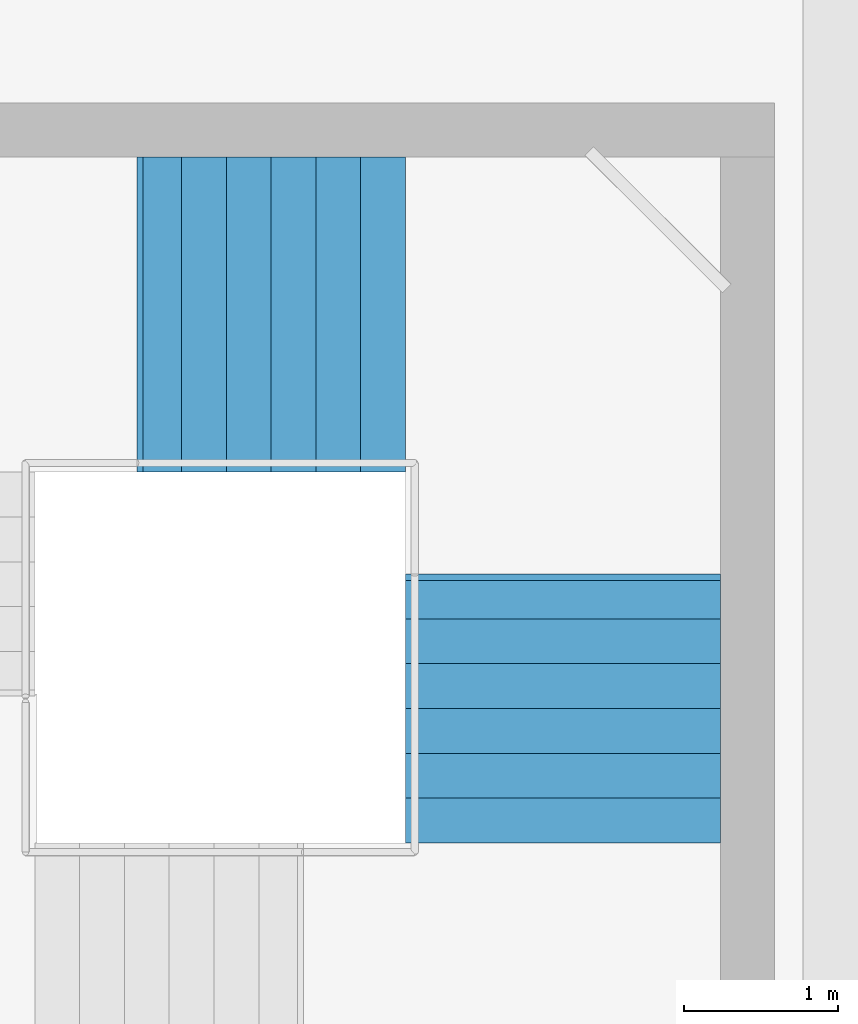
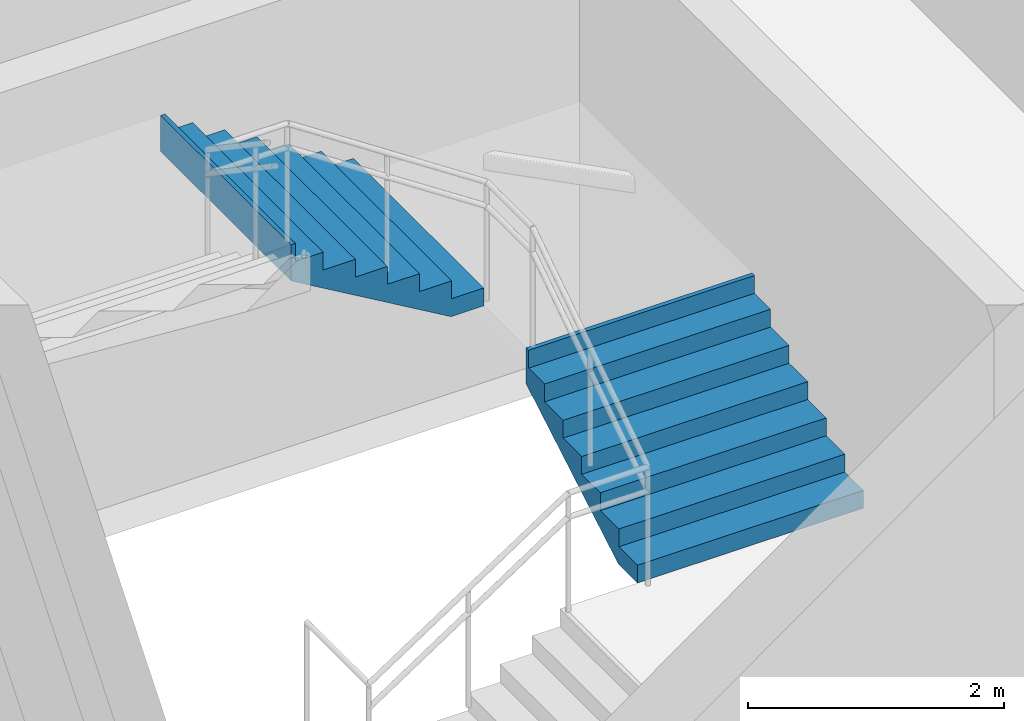
# One storey, part 17 of 32: 2 stair flights, 1 element without a shape of its own.
"""IFC4 building model written with IfcOpenShell, lengths in metres."""

from ifc_helpers import new_model, si_unit, direction, frame, origin, place, context, subcontext, project, spatial, triangles, material, type_object, element, aggregate, save


model = new_model("IFC4")

# Units and contexts
model_context = context("Model", 3, precision=1e-05, world=origin(), true_north=direction((0.0, 1.0)))
body_context = subcontext(model_context, "Body", "Model", "MODEL_VIEW")
ifc_project = project(units=[si_unit("LENGTHUNIT", "METRE"), si_unit("AREAUNIT", "SQUARE_METRE"), si_unit("VOLUMEUNIT", "CUBIC_METRE"), si_unit("PLANEANGLEUNIT", "RADIAN"), si_unit("MASSUNIT", "GRAM", prefix="KILO")], contexts=[model_context])

# Site, building, storey
site_placement = place(None, origin())
site = spatial("IfcSite", under=ifc_project, at=site_placement, CompositionType="ELEMENT")
building_placement = place(site_placement, origin())
building = spatial("IfcBuilding", under=site, at=building_placement, Name="Sillaruma Civic Art Gallery", CompositionType="ELEMENT")
storey_placement = place(building_placement, frame((0.0, 0.0, -4.590087890625)))
storey = spatial("IfcBuildingStorey", under=building, at=storey_placement, Name="B01", CompositionType="ELEMENT", Elevation=-4.590087890625)

# Stair, stair flights
ifc_material = material(Name="Concrete H35 (35 MPa)", Category="concrete")
stair_type = type_object("IfcStairType", Name="STR-4F-27", PredefinedType="USERDEFINED", material=ifc_material)
stair_placement = place(storey_placement, origin())
stair = element("IfcStair", 1, at=stair_placement, inside=storey, type_object=stair_type, Name="Protected Exit Stair ST-03 (West Bar South) (B01)", ObjectType="THREE_RETURN_STAIR", PredefinedType="USERDEFINED")
stair_flight_type = type_object("IfcStairFlightType", Name="SFL-STR-7", PredefinedType="STRAIGHT", material=ifc_material)
stair_flight_1_placement = place(storey_placement, frame((68.219970703125, 33.449951171875, 1.190185546875), z_axis=(0.0, 0.0, 1.0), x_axis=(0.0, 1.0, 0.0)))
stair_flight_1 = element("IfcStairFlight", 2, at=stair_flight_1_placement, type_object=stair_flight_type, Name="ST-03 flight 2", NumberOfRisers=7, NumberOfTreads=6, PredefinedType="STRAIGHT", RiserHeight=0.17, TreadLength=0.29, context=body_context, shape_type="Tessellation", body=[
    triangles([(0.0, -1.02001953125, 0.0), (0.29, -1.02001953125, 0.0), (0.296404, -1.02001953125, 0.0), (0.58, -1.02001953125, 0.166246), (0.87, -1.02001953125, 0.336246), (1.16, -1.02001953125, 0.506246), (1.45, -1.02001953125, 0.676246), (1.69999, -1.02001953125, 0.822792), (1.73999, -1.02001953125, 0.84624), (1.73999, -1.02001953125, 1.19), (1.69999, -1.02001953125, 1.19), (1.69999, -1.02001953125, 1.02), (1.45, -1.02001953125, 1.02), (1.45, -1.02001953125, 0.85), (1.16, -1.02001953125, 0.85), (1.16, -1.02001953125, 0.68), (0.87, -1.02001953125, 0.68), (0.87, -1.02001953125, 0.51), (0.58, -1.02001953125, 0.51), (0.58, -1.02001953125, 0.34), (0.296404, -1.02001953125, 0.34), (0.29, -1.02001953125, 0.34), (0.29, -1.02001953125, 0.17), (0.0, -1.02001953125, 0.17), (0.0, -0.05, 0.0), (0.29, -0.05, 0.0), (0.296404, -0.05, 0.0), (0.58, -0.05, 0.166246), (0.87, -0.05, 0.336246), (1.16, -0.05, 0.506246), (1.45, -0.05, 0.676246), (1.69999, -0.05, 0.822792), (1.73999, -0.05, 0.84624), (1.73999, -0.05, 1.19), (1.69999, -0.05, 1.19), (1.69999, -0.05, 1.02), (1.45, -0.05, 1.02), (1.45, -0.05, 0.85), (1.16, -0.05, 0.85), (1.16, -0.05, 0.68), (0.87, -0.05, 0.68), (0.87, -0.05, 0.51), (0.58, -0.05, 0.51), (0.58, -0.05, 0.34), (0.296404, -0.05, 0.34), (0.29, -0.05, 0.34), (0.29, -0.05, 0.17), (0.0, -0.05, 0.17), (0.0, -0.0375, 0.0), (0.29, -0.0375, 0.0), (0.296404, -0.0375, 0.0), (0.58, -0.0375, 0.166246), (0.87, -0.0375, 0.336246), (1.16, -0.0375, 0.506246), (1.45, -0.0375, 0.676246), (1.69999, -0.0375, 0.822792), (1.73999, -0.0375, 0.84624), (1.73999, -0.0375, 1.19), (1.69999, -0.0375, 1.19), (1.69999, -0.0375, 1.02), (1.45, -0.0375, 1.02), (1.45, -0.0375, 0.85), (1.16, -0.0375, 0.85), (1.16, -0.0375, 0.68), (0.87, -0.0375, 0.68), (0.87, -0.0375, 0.51), (0.58, -0.0375, 0.51), (0.58, -0.0375, 0.34), (0.296404, -0.0375, 0.34), (0.29, -0.0375, 0.34), (0.29, -0.0375, 0.17), (0.0, -0.0375, 0.17), (0.0, -0.025, 0.0), (0.29, -0.025, 0.0), (0.296404, -0.025, 0.0), (0.58, -0.025, 0.166246), (0.87, -0.025, 0.336246), (1.16, -0.025, 0.506246), (1.45, -0.025, 0.676246), (1.69999, -0.025, 0.822792), (1.73999, -0.025, 0.84624), (1.73999, -0.025, 1.19), (1.69999, -0.025, 1.19), (1.69999, -0.025, 1.02), (1.45, -0.025, 1.02), (1.45, -0.025, 0.85), (1.16, -0.025, 0.85), (1.16, -0.025, 0.68), (0.87, -0.025, 0.68), (0.87, -0.025, 0.51), (0.58, -0.025, 0.51), (0.58, -0.025, 0.34), (0.296404, -0.025, 0.34), (0.29, -0.025, 0.34), (0.29, -0.025, 0.17), (0.0, -0.025, 0.17), (0.0, -0.0125, 0.0), (0.29, -0.0125, 0.0), (0.296404, -0.0125, 0.0), (0.58, -0.0125, 0.166246), (0.87, -0.0125, 0.336246), (1.16, -0.0125, 0.506246), (1.45, -0.0125, 0.676246), (1.69999, -0.0125, 0.822792), (1.73999, -0.0125, 0.84624), (1.73999, -0.0125, 1.19), (1.69999, -0.0125, 1.19), (1.69999, -0.0125, 1.02), (1.45, -0.0125, 1.02), (1.45, -0.0125, 0.85), (1.16, -0.0125, 0.85), (1.16, -0.0125, 0.68), (0.87, -0.0125, 0.68), (0.87, -0.0125, 0.51), (0.58, -0.0125, 0.51), (0.58, -0.0125, 0.34), (0.296404, -0.0125, 0.34), (0.29, -0.0125, 0.34), (0.29, -0.0125, 0.17), (0.0, -0.0125, 0.17), (0.0, 0.0, 0.0), (0.29, 0.0, 0.0), (0.296404, 0.0, 0.0), (0.58, 0.0, 0.166246), (0.87, 0.0, 0.336246), (1.16, 0.0, 0.506246), (1.45, 0.0, 0.676246), (1.69999, 0.0, 0.822792), (1.73999, 0.0, 0.84624), (1.73999, 0.0, 1.19), (1.69999, 0.0, 1.19), (1.69999, 0.0, 1.02), (1.45, 0.0, 1.02), (1.45, 0.0, 0.85), (1.16, 0.0, 0.85), (1.16, 0.0, 0.68), (0.87, 0.0, 0.68), (0.87, 0.0, 0.51), (0.58, 0.0, 0.51), (0.58, 0.0, 0.34), (0.296404, 0.0, 0.34), (0.29, 0.0, 0.34), (0.29, 0.0, 0.17), (0.0, 0.0, 0.17), (0.0, 0.0125, 0.0), (0.29, 0.0125, 0.0), (0.296404, 0.0125, 0.0), (0.58, 0.0125, 0.166246), (0.87, 0.0125, 0.336246), (1.16, 0.0125, 0.506246), (1.45, 0.0125, 0.676246), (1.69999, 0.0125, 0.822792), (1.73999, 0.0125, 0.84624), (1.73999, 0.0125, 1.19), (1.69999, 0.0125, 1.19), (1.69999, 0.0125, 1.02), (1.45, 0.0125, 1.02), (1.45, 0.0125, 0.85), (1.16, 0.0125, 0.85), (1.16, 0.0125, 0.68), (0.87, 0.0125, 0.68), (0.87, 0.0125, 0.51), (0.58, 0.0125, 0.51), (0.58, 0.0125, 0.34), (0.296404, 0.0125, 0.34), (0.29, 0.0125, 0.34), (0.29, 0.0125, 0.17), (0.0, 0.0125, 0.17), (0.0, 0.025, 0.0), (0.29, 0.025, 0.0), (0.296404, 0.025, 0.0), (0.58, 0.025, 0.166246), (0.87, 0.025, 0.336246), (1.16, 0.025, 0.506246), (1.45, 0.025, 0.676246), (1.69999, 0.025, 0.822792), (1.73999, 0.025, 0.84624), (1.73999, 0.025, 1.19), (1.69999, 0.025, 1.19), (1.69999, 0.025, 1.02), (1.45, 0.025, 1.02), (1.45, 0.025, 0.85), (1.16, 0.025, 0.85), (1.16, 0.025, 0.68), (0.87, 0.025, 0.68), (0.87, 0.025, 0.51), (0.58, 0.025, 0.51), (0.58, 0.025, 0.34), (0.296404, 0.025, 0.34), (0.29, 0.025, 0.34), (0.29, 0.025, 0.17), (0.0, 0.025, 0.17), (0.0, 0.0375, 0.0), (0.29, 0.0375, 0.0), (0.296404, 0.0375, 0.0), (0.58, 0.0375, 0.166246), (0.87, 0.0375, 0.336246), (1.16, 0.0375, 0.506246), (1.45, 0.0375, 0.676246), (1.69999, 0.0375, 0.822792), (1.73999, 0.0375, 0.84624), (1.73999, 0.0375, 1.19), (1.69999, 0.0375, 1.19), (1.69999, 0.0375, 1.02), (1.45, 0.0375, 1.02), (1.45, 0.0375, 0.85), (1.16, 0.0375, 0.85), (1.16, 0.0375, 0.68), (0.87, 0.0375, 0.68), (0.87, 0.0375, 0.51), (0.58, 0.0375, 0.51), (0.58, 0.0375, 0.34), (0.296404, 0.0375, 0.34), (0.29, 0.0375, 0.34), (0.29, 0.0375, 0.17), (0.0, 0.0375, 0.17), (0.0, 0.05, 0.0), (0.29, 0.05, 0.0), (0.296404, 0.05, 0.0), (0.58, 0.05, 0.166246), (0.87, 0.05, 0.336246), (1.16, 0.05, 0.506246), (1.45, 0.05, 0.676246), (1.69999, 0.05, 0.822792), (1.73999, 0.05, 0.84624), (1.73999, 0.05, 1.19), (1.69999, 0.05, 1.19), (1.69999, 0.05, 1.02), (1.45, 0.05, 1.02), (1.45, 0.05, 0.85), (1.16, 0.05, 0.85), (1.16, 0.05, 0.68), (0.87, 0.05, 0.68), (0.87, 0.05, 0.51), (0.58, 0.05, 0.51), (0.58, 0.05, 0.34), (0.296404, 0.05, 0.34), (0.29, 0.05, 0.34), (0.29, 0.05, 0.17), (0.0, 0.05, 0.17), (0.0, 1.02001953125, 0.0), (0.29, 1.02001953125, 0.0), (0.296404, 1.02001953125, 0.0), (0.58, 1.02001953125, 0.166246), (0.87, 1.02001953125, 0.336246), (1.16, 1.02001953125, 0.506246), (1.45, 1.02001953125, 0.676246), (1.69999, 1.02001953125, 0.822792), (1.73999, 1.02001953125, 0.84624), (1.73999, 1.02001953125, 1.19), (1.69999, 1.02001953125, 1.19), (1.69999, 1.02001953125, 1.02), (1.45, 1.02001953125, 1.02), (1.45, 1.02001953125, 0.85), (1.16, 1.02001953125, 0.85), (1.16, 1.02001953125, 0.68), (0.87, 1.02001953125, 0.68), (0.87, 1.02001953125, 0.51), (0.58, 1.02001953125, 0.51), (0.58, 1.02001953125, 0.34), (0.296404, 1.02001953125, 0.34), (0.29, 1.02001953125, 0.34), (0.29, 1.02001953125, 0.17), (0.0, 1.02001953125, 0.17)], [[1, 2, 23], [1, 23, 24], [2, 3, 21], [2, 21, 23], [23, 21, 22], [3, 4, 20], [3, 20, 21], [4, 5, 18], [4, 18, 20], [20, 18, 19], [5, 6, 16], [5, 16, 18], [18, 16, 17], [6, 7, 14], [6, 14, 16], [16, 14, 15], [7, 8, 12], [7, 12, 14], [14, 12, 13], [8, 9, 10], [8, 10, 12], [12, 10, 11], [263, 242, 241], [264, 263, 241], [261, 243, 242], [263, 261, 242], [262, 261, 263], [260, 244, 243], [261, 260, 243], [258, 245, 244], [260, 258, 244], [259, 258, 260], [256, 246, 245], [258, 256, 245], [257, 256, 258], [254, 247, 246], [256, 254, 246], [255, 254, 256], [252, 248, 247], [254, 252, 247], [253, 252, 254], [250, 249, 248], [252, 250, 248], [251, 250, 252], [2, 1, 25], [2, 25, 26], [3, 2, 26], [3, 26, 27], [4, 3, 27], [4, 27, 28], [5, 4, 28], [5, 28, 29], [6, 5, 29], [6, 29, 30], [7, 6, 30], [7, 30, 31], [8, 7, 31], [8, 31, 32], [9, 8, 32], [9, 32, 33], [10, 9, 33], [10, 33, 34], [11, 10, 34], [11, 34, 35], [12, 11, 35], [12, 35, 36], [13, 12, 36], [13, 36, 37], [14, 13, 37], [14, 37, 38], [15, 14, 38], [15, 38, 39], [16, 15, 39], [16, 39, 40], [17, 16, 40], [17, 40, 41], [18, 17, 41], [18, 41, 42], [19, 18, 42], [19, 42, 43], [20, 19, 43], [20, 43, 44], [21, 20, 44], [21, 44, 45], [22, 21, 45], [22, 45, 46], [23, 22, 46], [23, 46, 47], [24, 23, 47], [24, 47, 48], [1, 24, 48], [1, 48, 25], [26, 25, 49], [26, 49, 50], [27, 26, 50], [27, 50, 51], [28, 27, 51], [28, 51, 52], [29, 28, 52], [29, 52, 53], [30, 29, 53], [30, 53, 54], [31, 30, 54], [31, 54, 55], [32, 31, 55], [32, 55, 56], [33, 32, 56], [33, 56, 57], [34, 33, 57], [34, 57, 58], [35, 34, 58], [35, 58, 59], [36, 35, 59], [36, 59, 60], [37, 36, 60], [37, 60, 61], [38, 37, 61], [38, 61, 62], [39, 38, 62], [39, 62, 63], [40, 39, 63], [40, 63, 64], [41, 40, 64], [41, 64, 65], [42, 41, 65], [42, 65, 66], [43, 42, 66], [43, 66, 67], [44, 43, 67], [44, 67, 68], [45, 44, 68], [45, 68, 69], [46, 45, 69], [46, 69, 70], [47, 46, 70], [47, 70, 71], [48, 47, 71], [48, 71, 72], [25, 48, 72], [25, 72, 49], [50, 49, 73], [50, 73, 74], [51, 50, 74], [51, 74, 75], [52, 51, 75], [52, 75, 76], [53, 52, 76], [53, 76, 77], [54, 53, 77], [54, 77, 78], [55, 54, 78], [55, 78, 79], [56, 55, 79], [56, 79, 80], [57, 56, 80], [57, 80, 81], [58, 57, 81], [58, 81, 82], [59, 58, 82], [59, 82, 83], [60, 59, 83], [60, 83, 84], [61, 60, 84], [61, 84, 85], [62, 61, 85], [62, 85, 86], [63, 62, 86], [63, 86, 87], [64, 63, 87], [64, 87, 88], [65, 64, 88], [65, 88, 89], [66, 65, 89], [66, 89, 90], [67, 66, 90], [67, 90, 91], [68, 67, 91], [68, 91, 92], [69, 68, 92], [69, 92, 93], [70, 69, 93], [70, 93, 94], [71, 70, 94], [71, 94, 95], [72, 71, 95], [72, 95, 96], [49, 72, 96], [49, 96, 73], [74, 73, 97], [74, 97, 98], [75, 74, 98], [75, 98, 99], [76, 75, 99], [76, 99, 100], [77, 76, 100], [77, 100, 101], [78, 77, 101], [78, 101, 102], [79, 78, 102], [79, 102, 103], [80, 79, 103], [80, 103, 104], [81, 80, 104], [81, 104, 105], [82, 81, 105], [82, 105, 106], [83, 82, 106], [83, 106, 107], [84, 83, 107], [84, 107, 108], [85, 84, 108], [85, 108, 109], [86, 85, 109], [86, 109, 110], [87, 86, 110], [87, 110, 111], [88, 87, 111], [88, 111, 112], [89, 88, 112], [89, 112, 113], [90, 89, 113], [90, 113, 114], [91, 90, 114], [91, 114, 115], [92, 91, 115], [92, 115, 116], [93, 92, 116], [93, 116, 117], [94, 93, 117], [94, 117, 118], [95, 94, 118], [95, 118, 119], [96, 95, 119], [96, 119, 120], [73, 96, 120], [73, 120, 97], [98, 97, 121], [98, 121, 122], [99, 98, 122], [99, 122, 123], [100, 99, 123], [100, 123, 124], [101, 100, 124], [101, 124, 125], [102, 101, 125], [102, 125, 126], [103, 102, 126], [103, 126, 127], [104, 103, 127], [104, 127, 128], [105, 104, 128], [105, 128, 129], [106, 105, 129], [106, 129, 130], [107, 106, 130], [107, 130, 131], [108, 107, 131], [108, 131, 132], [109, 108, 132], [109, 132, 133], [110, 109, 133], [110, 133, 134], [111, 110, 134], [111, 134, 135], [112, 111, 135], [112, 135, 136], [113, 112, 136], [113, 136, 137], [114, 113, 137], [114, 137, 138], [115, 114, 138], [115, 138, 139], [116, 115, 139], [116, 139, 140], [117, 116, 140], [117, 140, 141], [118, 117, 141], [118, 141, 142], [119, 118, 142], [119, 142, 143], [120, 119, 143], [120, 143, 144], [97, 120, 144], [97, 144, 121], [122, 121, 145], [122, 145, 146], [123, 122, 146], [123, 146, 147], [124, 123, 147], [124, 147, 148], [125, 124, 148], [125, 148, 149], [126, 125, 149], [126, 149, 150], [127, 126, 150], [127, 150, 151], [128, 127, 151], [128, 151, 152], [129, 128, 152], [129, 152, 153], [130, 129, 153], [130, 153, 154], [131, 130, 154], [131, 154, 155], [132, 131, 155], [132, 155, 156], [133, 132, 156], [133, 156, 157], [134, 133, 157], [134, 157, 158], [135, 134, 158], [135, 158, 159], [136, 135, 159], [136, 159, 160], [137, 136, 160], [137, 160, 161], [138, 137, 161], [138, 161, 162], [139, 138, 162], [139, 162, 163], [140, 139, 163], [140, 163, 164], [141, 140, 164], [141, 164, 165], [142, 141, 165], [142, 165, 166], [143, 142, 166], [143, 166, 167], [144, 143, 167], [144, 167, 168], [121, 144, 168], [121, 168, 145], [146, 145, 169], [146, 169, 170], [147, 146, 170], [147, 170, 171], [148, 147, 171], [148, 171, 172], [149, 148, 172], [149, 172, 173], [150, 149, 173], [150, 173, 174], [151, 150, 174], [151, 174, 175], [152, 151, 175], [152, 175, 176], [153, 152, 176], [153, 176, 177], [154, 153, 177], [154, 177, 178], [155, 154, 178], [155, 178, 179], [156, 155, 179], [156, 179, 180], [157, 156, 180], [157, 180, 181], [158, 157, 181], [158, 181, 182], [159, 158, 182], [159, 182, 183], [160, 159, 183], [160, 183, 184], [161, 160, 184], [161, 184, 185], [162, 161, 185], [162, 185, 186], [163, 162, 186], [163, 186, 187], [164, 163, 187], [164, 187, 188], [165, 164, 188], [165, 188, 189], [166, 165, 189], [166, 189, 190], [167, 166, 190], [167, 190, 191], [168, 167, 191], [168, 191, 192], [145, 168, 192], [145, 192, 169], [170, 169, 193], [170, 193, 194], [171, 170, 194], [171, 194, 195], [172, 171, 195], [172, 195, 196], [173, 172, 196], [173, 196, 197], [174, 173, 197], [174, 197, 198], [175, 174, 198], [175, 198, 199], [176, 175, 199], [176, 199, 200], [177, 176, 200], [177, 200, 201], [178, 177, 201], [178, 201, 202], [179, 178, 202], [179, 202, 203], [180, 179, 203], [180, 203, 204], [181, 180, 204], [181, 204, 205], [182, 181, 205], [182, 205, 206], [183, 182, 206], [183, 206, 207], [184, 183, 207], [184, 207, 208], [185, 184, 208], [185, 208, 209], [186, 185, 209], [186, 209, 210], [187, 186, 210], [187, 210, 211], [188, 187, 211], [188, 211, 212], [189, 188, 212], [189, 212, 213], [190, 189, 213], [190, 213, 214], [191, 190, 214], [191, 214, 215], [192, 191, 215], [192, 215, 216], [169, 192, 216], [169, 216, 193], [194, 193, 217], [194, 217, 218], [195, 194, 218], [195, 218, 219], [196, 195, 219], [196, 219, 220], [197, 196, 220], [197, 220, 221], [198, 197, 221], [198, 221, 222], [199, 198, 222], [199, 222, 223], [200, 199, 223], [200, 223, 224], [201, 200, 224], [201, 224, 225], [202, 201, 225], [202, 225, 226], [203, 202, 226], [203, 226, 227], [204, 203, 227], [204, 227, 228], [205, 204, 228], [205, 228, 229], [206, 205, 229], [206, 229, 230], [207, 206, 230], [207, 230, 231], [208, 207, 231], [208, 231, 232], [209, 208, 232], [209, 232, 233], [210, 209, 233], [210, 233, 234], [211, 210, 234], [211, 234, 235], [212, 211, 235], [212, 235, 236], [213, 212, 236], [213, 236, 237], [214, 213, 237], [214, 237, 238], [215, 214, 238], [215, 238, 239], [216, 215, 239], [216, 239, 240], [193, 216, 240], [193, 240, 217], [218, 217, 241], [218, 241, 242], [219, 218, 242], [219, 242, 243], [220, 219, 243], [220, 243, 244], [221, 220, 244], [221, 244, 245], [222, 221, 245], [222, 245, 246], [223, 222, 246], [223, 246, 247], [224, 223, 247], [224, 247, 248], [225, 224, 248], [225, 248, 249], [226, 225, 249], [226, 249, 250], [227, 226, 250], [227, 250, 251], [228, 227, 251], [228, 251, 252], [229, 228, 252], [229, 252, 253], [230, 229, 253], [230, 253, 254], [231, 230, 254], [231, 254, 255], [232, 231, 255], [232, 255, 256], [233, 232, 256], [233, 256, 257], [234, 233, 257], [234, 257, 258], [235, 234, 258], [235, 258, 259], [236, 235, 259], [236, 259, 260], [237, 236, 260], [237, 260, 261], [238, 237, 261], [238, 261, 262], [239, 238, 262], [239, 262, 263], [240, 239, 263], [240, 263, 264], [217, 240, 264], [217, 264, 241]], closed=True),
])
stair_flight_2_placement = place(storey_placement, frame((67.199951171875, 36.8701171875, 2.380126953125), z_axis=(0.0, 0.0, 1.0), x_axis=(-1.0, 0.0, 0.0)))
stair_flight_2 = element("IfcStairFlight", 3, at=stair_flight_2_placement, type_object=stair_flight_type, Name="ST-03 flight 3", NumberOfRisers=7, NumberOfTreads=6, PredefinedType="STRAIGHT", RiserHeight=0.17, TreadLength=0.29, context=body_context, shape_type="Tessellation", body=[
    triangles([(0.0, -1.02001953125, 0.0), (0.29, -1.02001953125, 0.0), (0.296404, -1.02001953125, 0.0), (0.58, -1.02001953125, 0.166246), (0.87, -1.02001953125, 0.336246), (1.16, -1.02001953125, 0.506246), (1.45, -1.02001953125, 0.676246), (1.69999, -1.02001953125, 0.822792), (1.73999, -1.02001953125, 0.84624), (1.73999, -1.02001953125, 1.19), (1.69999, -1.02001953125, 1.19), (1.69999, -1.02001953125, 1.02), (1.45, -1.02001953125, 1.02), (1.45, -1.02001953125, 0.85), (1.16, -1.02001953125, 0.85), (1.16, -1.02001953125, 0.68), (0.87, -1.02001953125, 0.68), (0.87, -1.02001953125, 0.51), (0.58, -1.02001953125, 0.51), (0.58, -1.02001953125, 0.34), (0.296404, -1.02001953125, 0.34), (0.29, -1.02001953125, 0.34), (0.29, -1.02001953125, 0.17), (0.0, -1.02001953125, 0.17), (0.0, -0.05, 0.0), (0.29, -0.05, 0.0), (0.296404, -0.05, 0.0), (0.58, -0.05, 0.166246), (0.87, -0.05, 0.336246), (1.16, -0.05, 0.506246), (1.45, -0.05, 0.676246), (1.69999, -0.05, 0.822792), (1.73999, -0.05, 0.84624), (1.73999, -0.05, 1.19), (1.69999, -0.05, 1.19), (1.69999, -0.05, 1.02), (1.45, -0.05, 1.02), (1.45, -0.05, 0.85), (1.16, -0.05, 0.85), (1.16, -0.05, 0.68), (0.87, -0.05, 0.68), (0.87, -0.05, 0.51), (0.58, -0.05, 0.51), (0.58, -0.05, 0.34), (0.296404, -0.05, 0.34), (0.29, -0.05, 0.34), (0.29, -0.05, 0.17), (0.0, -0.05, 0.17), (0.0, -0.0375, 0.0), (0.29, -0.0375, 0.0), (0.296404, -0.0375, 0.0), (0.58, -0.0375, 0.166246), (0.87, -0.0375, 0.336246), (1.16, -0.0375, 0.506246), (1.45, -0.0375, 0.676246), (1.69999, -0.0375, 0.822792), (1.73999, -0.0375, 0.84624), (1.73999, -0.0375, 1.19), (1.69999, -0.0375, 1.19), (1.69999, -0.0375, 1.02), (1.45, -0.0375, 1.02), (1.45, -0.0375, 0.85), (1.16, -0.0375, 0.85), (1.16, -0.0375, 0.68), (0.87, -0.0375, 0.68), (0.87, -0.0375, 0.51), (0.58, -0.0375, 0.51), (0.58, -0.0375, 0.34), (0.296404, -0.0375, 0.34), (0.29, -0.0375, 0.34), (0.29, -0.0375, 0.17), (0.0, -0.0375, 0.17), (0.0, -0.025, 0.0), (0.29, -0.025, 0.0), (0.296404, -0.025, 0.0), (0.58, -0.025, 0.166246), (0.87, -0.025, 0.336246), (1.16, -0.025, 0.506246), (1.45, -0.025, 0.676246), (1.69999, -0.025, 0.822792), (1.73999, -0.025, 0.84624), (1.73999, -0.025, 1.19), (1.69999, -0.025, 1.19), (1.69999, -0.025, 1.02), (1.45, -0.025, 1.02), (1.45, -0.025, 0.85), (1.16, -0.025, 0.85), (1.16, -0.025, 0.68), (0.87, -0.025, 0.68), (0.87, -0.025, 0.51), (0.58, -0.025, 0.51), (0.58, -0.025, 0.34), (0.296404, -0.025, 0.34), (0.29, -0.025, 0.34), (0.29, -0.025, 0.17), (0.0, -0.025, 0.17), (0.0, -0.0125, 0.0), (0.29, -0.0125, 0.0), (0.296404, -0.0125, 0.0), (0.58, -0.0125, 0.166246), (0.87, -0.0125, 0.336246), (1.16, -0.0125, 0.506246), (1.45, -0.0125, 0.676246), (1.69999, -0.0125, 0.822792), (1.73999, -0.0125, 0.84624), (1.73999, -0.0125, 1.19), (1.69999, -0.0125, 1.19), (1.69999, -0.0125, 1.02), (1.45, -0.0125, 1.02), (1.45, -0.0125, 0.85), (1.16, -0.0125, 0.85), (1.16, -0.0125, 0.68), (0.87, -0.0125, 0.68), (0.87, -0.0125, 0.51), (0.58, -0.0125, 0.51), (0.58, -0.0125, 0.34), (0.296404, -0.0125, 0.34), (0.29, -0.0125, 0.34), (0.29, -0.0125, 0.17), (0.0, -0.0125, 0.17), (0.0, 0.0, 0.0), (0.29, 0.0, 0.0), (0.296404, 0.0, 0.0), (0.58, 0.0, 0.166246), (0.87, 0.0, 0.336246), (1.16, 0.0, 0.506246), (1.45, 0.0, 0.676246), (1.69999, 0.0, 0.822792), (1.73999, 0.0, 0.84624), (1.73999, 0.0, 1.19), (1.69999, 0.0, 1.19), (1.69999, 0.0, 1.02), (1.45, 0.0, 1.02), (1.45, 0.0, 0.85), (1.16, 0.0, 0.85), (1.16, 0.0, 0.68), (0.87, 0.0, 0.68), (0.87, 0.0, 0.51), (0.58, 0.0, 0.51), (0.58, 0.0, 0.34), (0.296404, 0.0, 0.34), (0.29, 0.0, 0.34), (0.29, 0.0, 0.17), (0.0, 0.0, 0.17), (0.0, 0.0125, 0.0), (0.29, 0.0125, 0.0), (0.296404, 0.0125, 0.0), (0.58, 0.0125, 0.166246), (0.87, 0.0125, 0.336246), (1.16, 0.0125, 0.506246), (1.45, 0.0125, 0.676246), (1.69999, 0.0125, 0.822792), (1.73999, 0.0125, 0.84624), (1.73999, 0.0125, 1.19), (1.69999, 0.0125, 1.19), (1.69999, 0.0125, 1.02), (1.45, 0.0125, 1.02), (1.45, 0.0125, 0.85), (1.16, 0.0125, 0.85), (1.16, 0.0125, 0.68), (0.87, 0.0125, 0.68), (0.87, 0.0125, 0.51), (0.58, 0.0125, 0.51), (0.58, 0.0125, 0.34), (0.296404, 0.0125, 0.34), (0.29, 0.0125, 0.34), (0.29, 0.0125, 0.17), (0.0, 0.0125, 0.17), (0.0, 0.025, 0.0), (0.29, 0.025, 0.0), (0.296404, 0.025, 0.0), (0.58, 0.025, 0.166246), (0.87, 0.025, 0.336246), (1.16, 0.025, 0.506246), (1.45, 0.025, 0.676246), (1.69999, 0.025, 0.822792), (1.73999, 0.025, 0.84624), (1.73999, 0.025, 1.19), (1.69999, 0.025, 1.19), (1.69999, 0.025, 1.02), (1.45, 0.025, 1.02), (1.45, 0.025, 0.85), (1.16, 0.025, 0.85), (1.16, 0.025, 0.68), (0.87, 0.025, 0.68), (0.87, 0.025, 0.51), (0.58, 0.025, 0.51), (0.58, 0.025, 0.34), (0.296404, 0.025, 0.34), (0.29, 0.025, 0.34), (0.29, 0.025, 0.17), (0.0, 0.025, 0.17), (0.0, 0.0375, 0.0), (0.29, 0.0375, 0.0), (0.296404, 0.0375, 0.0), (0.58, 0.0375, 0.166246), (0.87, 0.0375, 0.336246), (1.16, 0.0375, 0.506246), (1.45, 0.0375, 0.676246), (1.69999, 0.0375, 0.822792), (1.73999, 0.0375, 0.84624), (1.73999, 0.0375, 1.19), (1.69999, 0.0375, 1.19), (1.69999, 0.0375, 1.02), (1.45, 0.0375, 1.02), (1.45, 0.0375, 0.85), (1.16, 0.0375, 0.85), (1.16, 0.0375, 0.68), (0.87, 0.0375, 0.68), (0.87, 0.0375, 0.51), (0.58, 0.0375, 0.51), (0.58, 0.0375, 0.34), (0.296404, 0.0375, 0.34), (0.29, 0.0375, 0.34), (0.29, 0.0375, 0.17), (0.0, 0.0375, 0.17), (0.0, 0.05, 0.0), (0.29, 0.05, 0.0), (0.296404, 0.05, 0.0), (0.58, 0.05, 0.166246), (0.87, 0.05, 0.336246), (1.16, 0.05, 0.506246), (1.45, 0.05, 0.676246), (1.69999, 0.05, 0.822792), (1.73999, 0.05, 0.84624), (1.73999, 0.05, 1.19), (1.69999, 0.05, 1.19), (1.69999, 0.05, 1.02), (1.45, 0.05, 1.02), (1.45, 0.05, 0.85), (1.16, 0.05, 0.85), (1.16, 0.05, 0.68), (0.87, 0.05, 0.68), (0.87, 0.05, 0.51), (0.58, 0.05, 0.51), (0.58, 0.05, 0.34), (0.296404, 0.05, 0.34), (0.29, 0.05, 0.34), (0.29, 0.05, 0.17), (0.0, 0.05, 0.17), (0.0, 1.02001953125, 0.0), (0.29, 1.02001953125, 0.0), (0.296404, 1.02001953125, 0.0), (0.58, 1.02001953125, 0.166246), (0.87, 1.02001953125, 0.336246), (1.16, 1.02001953125, 0.506246), (1.45, 1.02001953125, 0.676246), (1.69999, 1.02001953125, 0.822792), (1.73999, 1.02001953125, 0.84624), (1.73999, 1.02001953125, 1.19), (1.69999, 1.02001953125, 1.19), (1.69999, 1.02001953125, 1.02), (1.45, 1.02001953125, 1.02), (1.45, 1.02001953125, 0.85), (1.16, 1.02001953125, 0.85), (1.16, 1.02001953125, 0.68), (0.87, 1.02001953125, 0.68), (0.87, 1.02001953125, 0.51), (0.58, 1.02001953125, 0.51), (0.58, 1.02001953125, 0.34), (0.296404, 1.02001953125, 0.34), (0.29, 1.02001953125, 0.34), (0.29, 1.02001953125, 0.17), (0.0, 1.02001953125, 0.17)], [[1, 2, 23], [1, 23, 24], [2, 3, 21], [2, 21, 23], [23, 21, 22], [3, 4, 20], [3, 20, 21], [4, 5, 18], [4, 18, 20], [20, 18, 19], [5, 6, 16], [5, 16, 18], [18, 16, 17], [6, 7, 14], [6, 14, 16], [16, 14, 15], [7, 8, 12], [7, 12, 14], [14, 12, 13], [8, 9, 10], [8, 10, 12], [12, 10, 11], [263, 242, 241], [264, 263, 241], [261, 243, 242], [263, 261, 242], [262, 261, 263], [260, 244, 243], [261, 260, 243], [258, 245, 244], [260, 258, 244], [259, 258, 260], [256, 246, 245], [258, 256, 245], [257, 256, 258], [254, 247, 246], [256, 254, 246], [255, 254, 256], [252, 248, 247], [254, 252, 247], [253, 252, 254], [250, 249, 248], [252, 250, 248], [251, 250, 252], [2, 1, 25], [2, 25, 26], [3, 2, 26], [3, 26, 27], [4, 3, 27], [4, 27, 28], [5, 4, 28], [5, 28, 29], [6, 5, 29], [6, 29, 30], [7, 6, 30], [7, 30, 31], [8, 7, 31], [8, 31, 32], [9, 8, 32], [9, 32, 33], [10, 9, 33], [10, 33, 34], [11, 10, 34], [11, 34, 35], [12, 11, 35], [12, 35, 36], [13, 12, 36], [13, 36, 37], [14, 13, 37], [14, 37, 38], [15, 14, 38], [15, 38, 39], [16, 15, 39], [16, 39, 40], [17, 16, 40], [17, 40, 41], [18, 17, 41], [18, 41, 42], [19, 18, 42], [19, 42, 43], [20, 19, 43], [20, 43, 44], [21, 20, 44], [21, 44, 45], [22, 21, 45], [22, 45, 46], [23, 22, 46], [23, 46, 47], [24, 23, 47], [24, 47, 48], [1, 24, 48], [1, 48, 25], [26, 25, 49], [26, 49, 50], [27, 26, 50], [27, 50, 51], [28, 27, 51], [28, 51, 52], [29, 28, 52], [29, 52, 53], [30, 29, 53], [30, 53, 54], [31, 30, 54], [31, 54, 55], [32, 31, 55], [32, 55, 56], [33, 32, 56], [33, 56, 57], [34, 33, 57], [34, 57, 58], [35, 34, 58], [35, 58, 59], [36, 35, 59], [36, 59, 60], [37, 36, 60], [37, 60, 61], [38, 37, 61], [38, 61, 62], [39, 38, 62], [39, 62, 63], [40, 39, 63], [40, 63, 64], [41, 40, 64], [41, 64, 65], [42, 41, 65], [42, 65, 66], [43, 42, 66], [43, 66, 67], [44, 43, 67], [44, 67, 68], [45, 44, 68], [45, 68, 69], [46, 45, 69], [46, 69, 70], [47, 46, 70], [47, 70, 71], [48, 47, 71], [48, 71, 72], [25, 48, 72], [25, 72, 49], [50, 49, 73], [50, 73, 74], [51, 50, 74], [51, 74, 75], [52, 51, 75], [52, 75, 76], [53, 52, 76], [53, 76, 77], [54, 53, 77], [54, 77, 78], [55, 54, 78], [55, 78, 79], [56, 55, 79], [56, 79, 80], [57, 56, 80], [57, 80, 81], [58, 57, 81], [58, 81, 82], [59, 58, 82], [59, 82, 83], [60, 59, 83], [60, 83, 84], [61, 60, 84], [61, 84, 85], [62, 61, 85], [62, 85, 86], [63, 62, 86], [63, 86, 87], [64, 63, 87], [64, 87, 88], [65, 64, 88], [65, 88, 89], [66, 65, 89], [66, 89, 90], [67, 66, 90], [67, 90, 91], [68, 67, 91], [68, 91, 92], [69, 68, 92], [69, 92, 93], [70, 69, 93], [70, 93, 94], [71, 70, 94], [71, 94, 95], [72, 71, 95], [72, 95, 96], [49, 72, 96], [49, 96, 73], [74, 73, 97], [74, 97, 98], [75, 74, 98], [75, 98, 99], [76, 75, 99], [76, 99, 100], [77, 76, 100], [77, 100, 101], [78, 77, 101], [78, 101, 102], [79, 78, 102], [79, 102, 103], [80, 79, 103], [80, 103, 104], [81, 80, 104], [81, 104, 105], [82, 81, 105], [82, 105, 106], [83, 82, 106], [83, 106, 107], [84, 83, 107], [84, 107, 108], [85, 84, 108], [85, 108, 109], [86, 85, 109], [86, 109, 110], [87, 86, 110], [87, 110, 111], [88, 87, 111], [88, 111, 112], [89, 88, 112], [89, 112, 113], [90, 89, 113], [90, 113, 114], [91, 90, 114], [91, 114, 115], [92, 91, 115], [92, 115, 116], [93, 92, 116], [93, 116, 117], [94, 93, 117], [94, 117, 118], [95, 94, 118], [95, 118, 119], [96, 95, 119], [96, 119, 120], [73, 96, 120], [73, 120, 97], [98, 97, 121], [98, 121, 122], [99, 98, 122], [99, 122, 123], [100, 99, 123], [100, 123, 124], [101, 100, 124], [101, 124, 125], [102, 101, 125], [102, 125, 126], [103, 102, 126], [103, 126, 127], [104, 103, 127], [104, 127, 128], [105, 104, 128], [105, 128, 129], [106, 105, 129], [106, 129, 130], [107, 106, 130], [107, 130, 131], [108, 107, 131], [108, 131, 132], [109, 108, 132], [109, 132, 133], [110, 109, 133], [110, 133, 134], [111, 110, 134], [111, 134, 135], [112, 111, 135], [112, 135, 136], [113, 112, 136], [113, 136, 137], [114, 113, 137], [114, 137, 138], [115, 114, 138], [115, 138, 139], [116, 115, 139], [116, 139, 140], [117, 116, 140], [117, 140, 141], [118, 117, 141], [118, 141, 142], [119, 118, 142], [119, 142, 143], [120, 119, 143], [120, 143, 144], [97, 120, 144], [97, 144, 121], [122, 121, 145], [122, 145, 146], [123, 122, 146], [123, 146, 147], [124, 123, 147], [124, 147, 148], [125, 124, 148], [125, 148, 149], [126, 125, 149], [126, 149, 150], [127, 126, 150], [127, 150, 151], [128, 127, 151], [128, 151, 152], [129, 128, 152], [129, 152, 153], [130, 129, 153], [130, 153, 154], [131, 130, 154], [131, 154, 155], [132, 131, 155], [132, 155, 156], [133, 132, 156], [133, 156, 157], [134, 133, 157], [134, 157, 158], [135, 134, 158], [135, 158, 159], [136, 135, 159], [136, 159, 160], [137, 136, 160], [137, 160, 161], [138, 137, 161], [138, 161, 162], [139, 138, 162], [139, 162, 163], [140, 139, 163], [140, 163, 164], [141, 140, 164], [141, 164, 165], [142, 141, 165], [142, 165, 166], [143, 142, 166], [143, 166, 167], [144, 143, 167], [144, 167, 168], [121, 144, 168], [121, 168, 145], [146, 145, 169], [146, 169, 170], [147, 146, 170], [147, 170, 171], [148, 147, 171], [148, 171, 172], [149, 148, 172], [149, 172, 173], [150, 149, 173], [150, 173, 174], [151, 150, 174], [151, 174, 175], [152, 151, 175], [152, 175, 176], [153, 152, 176], [153, 176, 177], [154, 153, 177], [154, 177, 178], [155, 154, 178], [155, 178, 179], [156, 155, 179], [156, 179, 180], [157, 156, 180], [157, 180, 181], [158, 157, 181], [158, 181, 182], [159, 158, 182], [159, 182, 183], [160, 159, 183], [160, 183, 184], [161, 160, 184], [161, 184, 185], [162, 161, 185], [162, 185, 186], [163, 162, 186], [163, 186, 187], [164, 163, 187], [164, 187, 188], [165, 164, 188], [165, 188, 189], [166, 165, 189], [166, 189, 190], [167, 166, 190], [167, 190, 191], [168, 167, 191], [168, 191, 192], [145, 168, 192], [145, 192, 169], [170, 169, 193], [170, 193, 194], [171, 170, 194], [171, 194, 195], [172, 171, 195], [172, 195, 196], [173, 172, 196], [173, 196, 197], [174, 173, 197], [174, 197, 198], [175, 174, 198], [175, 198, 199], [176, 175, 199], [176, 199, 200], [177, 176, 200], [177, 200, 201], [178, 177, 201], [178, 201, 202], [179, 178, 202], [179, 202, 203], [180, 179, 203], [180, 203, 204], [181, 180, 204], [181, 204, 205], [182, 181, 205], [182, 205, 206], [183, 182, 206], [183, 206, 207], [184, 183, 207], [184, 207, 208], [185, 184, 208], [185, 208, 209], [186, 185, 209], [186, 209, 210], [187, 186, 210], [187, 210, 211], [188, 187, 211], [188, 211, 212], [189, 188, 212], [189, 212, 213], [190, 189, 213], [190, 213, 214], [191, 190, 214], [191, 214, 215], [192, 191, 215], [192, 215, 216], [169, 192, 216], [169, 216, 193], [194, 193, 217], [194, 217, 218], [195, 194, 218], [195, 218, 219], [196, 195, 219], [196, 219, 220], [197, 196, 220], [197, 220, 221], [198, 197, 221], [198, 221, 222], [199, 198, 222], [199, 222, 223], [200, 199, 223], [200, 223, 224], [201, 200, 224], [201, 224, 225], [202, 201, 225], [202, 225, 226], [203, 202, 226], [203, 226, 227], [204, 203, 227], [204, 227, 228], [205, 204, 228], [205, 228, 229], [206, 205, 229], [206, 229, 230], [207, 206, 230], [207, 230, 231], [208, 207, 231], [208, 231, 232], [209, 208, 232], [209, 232, 233], [210, 209, 233], [210, 233, 234], [211, 210, 234], [211, 234, 235], [212, 211, 235], [212, 235, 236], [213, 212, 236], [213, 236, 237], [214, 213, 237], [214, 237, 238], [215, 214, 238], [215, 238, 239], [216, 215, 239], [216, 239, 240], [193, 216, 240], [193, 240, 217], [218, 217, 241], [218, 241, 242], [219, 218, 242], [219, 242, 243], [220, 219, 243], [220, 243, 244], [221, 220, 244], [221, 244, 245], [222, 221, 245], [222, 245, 246], [223, 222, 246], [223, 246, 247], [224, 223, 247], [224, 247, 248], [225, 224, 248], [225, 248, 249], [226, 225, 249], [226, 249, 250], [227, 226, 250], [227, 250, 251], [228, 227, 251], [228, 251, 252], [229, 228, 252], [229, 252, 253], [230, 229, 253], [230, 253, 254], [231, 230, 254], [231, 254, 255], [232, 231, 255], [232, 255, 256], [233, 232, 256], [233, 256, 257], [234, 233, 257], [234, 257, 258], [235, 234, 258], [235, 258, 259], [236, 235, 259], [236, 259, 260], [237, 236, 260], [237, 260, 261], [238, 237, 261], [238, 261, 262], [239, 238, 262], [239, 262, 263], [240, 239, 263], [240, 263, 264], [217, 240, 264], [217, 264, 241]], closed=True),
])
aggregate(stair, [stair_flight_1, stair_flight_2])

save(model, "model.ifc")
